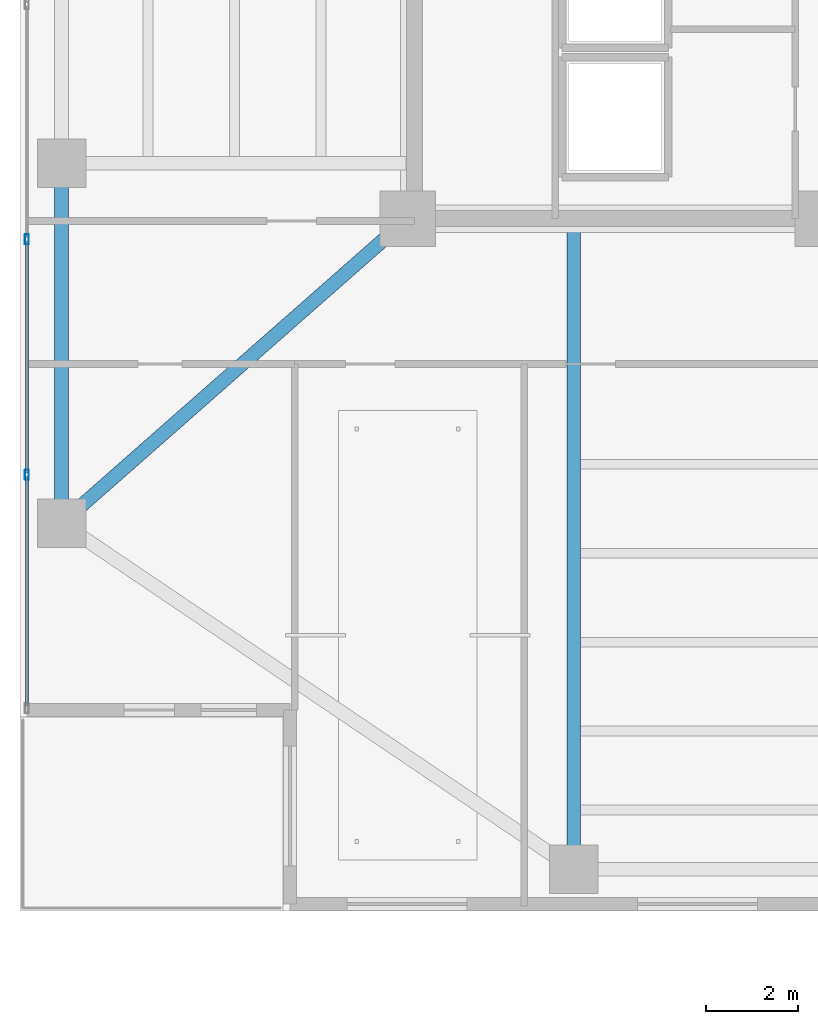
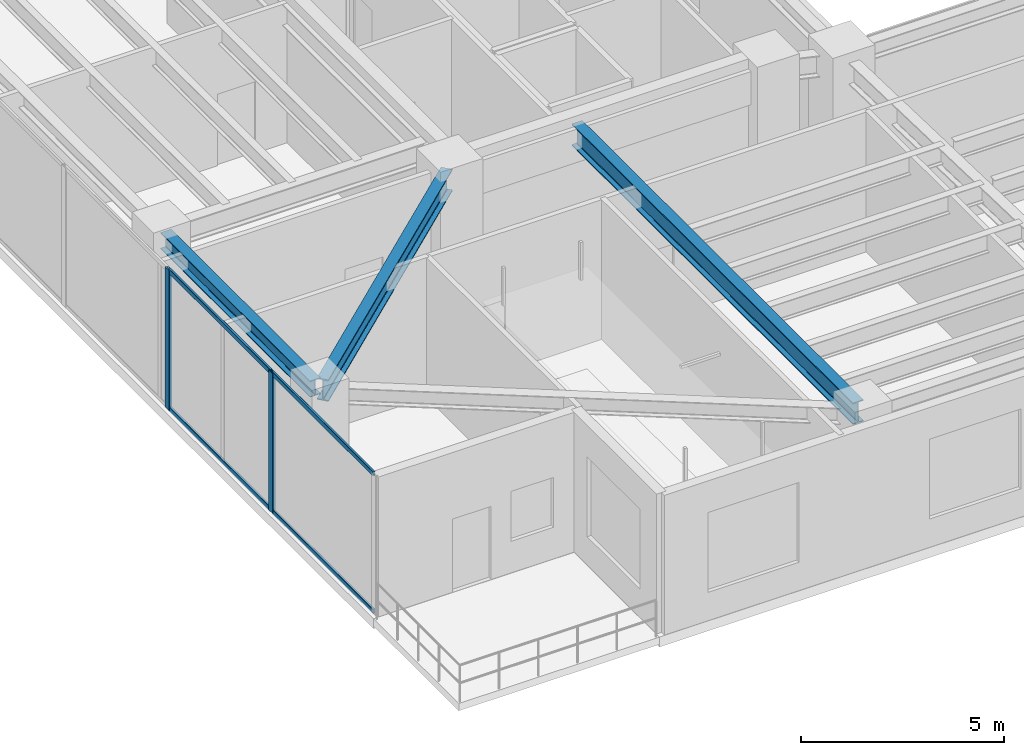
# One storey, part 3 of 38: 6 members, 3 beams, 1 element without a shape of its own.
"""IFC4 building model written with IfcOpenShell, lengths in metres."""

from ifc_helpers import new_model, si_unit, direction, frame, origin, origin_2d, place, context, subcontext, project, spatial, hollow_rectangle, i_section, extrude, material, layer, layer_set, material_profile, profile_set, type_object, element, aggregate, save


model = new_model("IFC4")

# Units and contexts
model_context = context("Model", 3, precision=1e-05, world=origin(), true_north=direction((0.0, 1.0)))
body_context = subcontext(model_context, "Body", "Model", "MODEL_VIEW")
ifc_project = project(units=[si_unit("LENGTHUNIT", "METRE"), si_unit("AREAUNIT", "SQUARE_METRE"), si_unit("VOLUMEUNIT", "CUBIC_METRE"), si_unit("PLANEANGLEUNIT", "RADIAN"), si_unit("MASSUNIT", "GRAM", prefix="KILO")], contexts=[model_context])

# Site, building, storey
site_placement = place(None, origin())
site = spatial("IfcSite", under=ifc_project, at=site_placement, CompositionType="ELEMENT")
building_placement = place(site_placement, origin())
building = spatial("IfcBuilding", under=site, at=building_placement, Name="Tarnavaz Court Tower", CompositionType="ELEMENT")
storey_placement = place(building_placement, frame((0.0, 0.0, 123.0)))
storey = spatial("IfcBuildingStorey", under=building, at=storey_placement, Name="L33", CompositionType="ELEMENT", Elevation=123.0)

# Beams
ifc_material_1 = material(Name="Steel S355", Category="steel")
ifc_material_profile_1 = material_profile(ifc_material_1, i_section(OverallWidth=0.300048828125, OverallDepth=0.64990234375, WebThickness=0.01611328125, FlangeThickness=0.031005859375, FilletRadius=0.027099609375, at=origin_2d()), Name="HEB 650")
ifc_profile_set_1 = profile_set([ifc_material_profile_1], Name="Steel S355")
beam_type_1 = type_object("IfcBeamType", Name="BM-G-HEB650", PredefinedType="USERDEFINED", material=ifc_profile_set_1)
beam_1_placement = place(storey_placement, frame((-15.0, -7.239990234375, 3.875), z_axis=(0.0, -1.0, 0.0), x_axis=(1.0, 0.0, 0.0)))
element("IfcBeam", 1, at=beam_1_placement, inside=storey, type_object=beam_type_1, Name="L33 Beam RG-05", ObjectType="GIRDER", PredefinedType="USERDEFINED", context=body_context, shape_type="SweptSolid", body=[
    extrude(i_section(OverallWidth=0.300048828125, OverallDepth=0.64990234375, WebThickness=0.01611328125, FlangeThickness=0.031005859375, FilletRadius=0.027099609375, at=origin_2d()), origin(), (0.0, 0.0, 1.0), 13.840087890625),
])
beam_2_placement = place(storey_placement, frame((-18.76513671875, -7.34521484375, 3.875), z_axis=(-0.750700332035, -0.660642877417, 0.0), x_axis=(0.660642877417, -0.750700332035, 0.0)))
element("IfcBeam", 2, at=beam_2_placement, inside=storey, type_object=beam_type_1, Name="L33 Beam RG-15", ObjectType="GIRDER", PredefinedType="USERDEFINED", context=body_context, shape_type="SweptSolid", body=[
    extrude(i_section(OverallWidth=0.300048828125, OverallDepth=0.64990234375, WebThickness=0.01611328125, FlangeThickness=0.031005859375, FilletRadius=0.027099609375, at=origin_2d()), origin(), (0.0, 0.0, 1.0), 9.550537109375),
])
ifc_material_profile_2 = material_profile(ifc_material_1, i_section(OverallWidth=0.300048828125, OverallDepth=0.489990234375, WebThickness=0.011962890625, FlangeThickness=0.02294921875, FilletRadius=0.027099609375, at=origin_2d()), Name="HEA 500")
ifc_profile_set_2 = profile_set([ifc_material_profile_2], Name="Steel S355")
beam_type_2 = type_object("IfcBeamType", Name="BM-SP-HEA500", PredefinedType="SPANDREL", material=ifc_profile_set_2)
beam_3_placement = place(storey_placement, frame((-26.10009765625, -13.580078125, 3.955078125), z_axis=(0.0, 1.0, 0.0), x_axis=(-1.0, 0.0, 0.0)))
element("IfcBeam", 3, at=beam_3_placement, inside=storey, type_object=beam_type_2, Name="L33 Beam PR-PW-1-PW-2", PredefinedType="SPANDREL", context=body_context, shape_type="SweptSolid", body=[
    extrude(i_section(OverallWidth=0.300048828125, OverallDepth=0.489990234375, WebThickness=0.011962890625, FlangeThickness=0.02294921875, FilletRadius=0.027099609375, at=origin_2d()), origin(), (0.0, 0.0, 1.0), 7.360107421875),
])

# Curtain wall, members
ifc_material_2 = material(Name="Anodised Aluminium 6063-T6 and Solar Low-E Glazing", Category="aluminium")
ifc_layer = layer(ifc_material_2, 0.199951171875)
ifc_layer_set = layer_set([ifc_layer], Name="Anodised Aluminium 6063-T6 and Solar Low-E Glazing")
curtain_wall_type = type_object("IfcCurtainWallType", Name="CW-SYS-05", PredefinedType="NOTDEFINED", material=ifc_layer_set)
curtain_wall_placement = place(storey_placement, origin())
curtain_wall = element("IfcCurtainWall", 4, at=curtain_wall_placement, inside=storey, type_object=curtain_wall_type, Name="L33 Sky-Portal Curtain Wall 2", PredefinedType="NOTDEFINED")
ifc_material_3 = material(Name="Anodised Aluminium 6063-T6", Category="aluminium")
ifc_material_profile_3 = material_profile(ifc_material_3, hollow_rectangle(XDim=0.0849609375, YDim=0.219970703125, WallThickness=0.006103515625, InnerFilletRadius=0.006103515625, OuterFilletRadius=0.011962890625, at=origin_2d()), Name="ALU RHS 220X85X6")
ifc_profile_set_3 = profile_set([ifc_material_profile_3], Name="Anodised Aluminium 6063-T6")
member_type_1 = type_object("IfcMemberType", Name="CW-MUL-220", PredefinedType="MULLION", material=ifc_profile_set_3)
member_1_placement = place(storey_placement, frame((-26.85009765625, -12.75, 0.0), z_axis=(0.0, 0.0, 1.0), x_axis=(-1.0, 0.0, 0.0)))
member_1 = element("IfcMember", 5, at=member_1_placement, type_object=member_type_1, Name="CW mullion 2", PredefinedType="MULLION", context=body_context, shape_type="SweptSolid", body=[
    extrude(hollow_rectangle(XDim=0.0849609375, YDim=0.219970703125, WallThickness=0.006103515625, InnerFilletRadius=0.006103515625, OuterFilletRadius=0.011962890625, at=origin_2d()), origin(), (0.0, 0.0, 1.0), 4.199951171875),
])
member_2_placement = place(storey_placement, frame((-26.85009765625, -7.64990234375, 0.0), z_axis=(0.0, 0.0, 1.0), x_axis=(-1.0, 0.0, 0.0)))
member_2 = element("IfcMember", 6, at=member_2_placement, type_object=member_type_1, Name="CW mullion 3", PredefinedType="MULLION", context=body_context, shape_type="SweptSolid", body=[
    extrude(hollow_rectangle(XDim=0.0849609375, YDim=0.219970703125, WallThickness=0.006103515625, InnerFilletRadius=0.006103515625, OuterFilletRadius=0.011962890625, at=origin_2d()), origin(), (0.0, 0.0, 1.0), 4.199951171875),
])
ifc_material_profile_4 = material_profile(ifc_material_3, hollow_rectangle(XDim=0.06494140625, YDim=0.139892578125, WallThickness=0.00390625, InnerFilletRadius=0.00390625, OuterFilletRadius=0.008056640625, at=origin_2d()), Name="ALU RHS 140X65X4")
ifc_profile_set_4 = profile_set([ifc_material_profile_4], Name="Anodised Aluminium 6063-T6")
member_type_2 = type_object("IfcMemberType", Name="CW-TRN-140", PredefinedType="USERDEFINED", material=ifc_profile_set_4)
member_3_placement = place(storey_placement, frame((-26.85009765625, -17.764892578125, 0.032470703125), z_axis=(0.0, 1.0, 0.0), x_axis=(-1.0, 0.0, 0.0)))
member_3 = element("IfcMember", 7, at=member_3_placement, type_object=member_type_2, Name="CW transom 1.1", ObjectType="TRANSOM", PredefinedType="USERDEFINED", context=body_context, shape_type="SweptSolid", body=[
    extrude(hollow_rectangle(XDim=0.06494140625, YDim=0.139892578125, WallThickness=0.00390625, InnerFilletRadius=0.00390625, OuterFilletRadius=0.008056640625, at=origin_2d()), origin(), (0.0, 0.0, 1.0), 4.972412109375),
])
member_4_placement = place(storey_placement, frame((-26.85009765625, -17.764892578125, 4.16748046875), z_axis=(0.0, 1.0, 0.0), x_axis=(-1.0, 0.0, 0.0)))
member_4 = element("IfcMember", 8, at=member_4_placement, type_object=member_type_2, Name="CW transom 1.2", ObjectType="TRANSOM", PredefinedType="USERDEFINED", context=body_context, shape_type="SweptSolid", body=[
    extrude(hollow_rectangle(XDim=0.06494140625, YDim=0.139892578125, WallThickness=0.00390625, InnerFilletRadius=0.00390625, OuterFilletRadius=0.008056640625, at=origin_2d()), origin(), (0.0, 0.0, 1.0), 4.972412109375),
])
member_5_placement = place(storey_placement, frame((-26.85009765625, -12.70751953125, 0.032470703125), z_axis=(0.0, 1.0, 0.0), x_axis=(-1.0, 0.0, 0.0)))
member_5 = element("IfcMember", 9, at=member_5_placement, type_object=member_type_2, Name="CW transom 2.1", ObjectType="TRANSOM", PredefinedType="USERDEFINED", context=body_context, shape_type="SweptSolid", body=[
    extrude(hollow_rectangle(XDim=0.06494140625, YDim=0.139892578125, WallThickness=0.00390625, InnerFilletRadius=0.00390625, OuterFilletRadius=0.008056640625, at=origin_2d()), origin(), (0.0, 0.0, 1.0), 5.01513671875),
])
member_6_placement = place(storey_placement, frame((-26.85009765625, -12.70751953125, 4.16748046875), z_axis=(0.0, 1.0, 0.0), x_axis=(-1.0, 0.0, 0.0)))
member_6 = element("IfcMember", 10, at=member_6_placement, type_object=member_type_2, Name="CW transom 2.2", ObjectType="TRANSOM", PredefinedType="USERDEFINED", context=body_context, shape_type="SweptSolid", body=[
    extrude(hollow_rectangle(XDim=0.06494140625, YDim=0.139892578125, WallThickness=0.00390625, InnerFilletRadius=0.00390625, OuterFilletRadius=0.008056640625, at=origin_2d()), origin(), (0.0, 0.0, 1.0), 5.01513671875),
])
aggregate(curtain_wall, [member_1, member_2, member_3, member_4, member_5, member_6])

save(model, "model.ifc")
